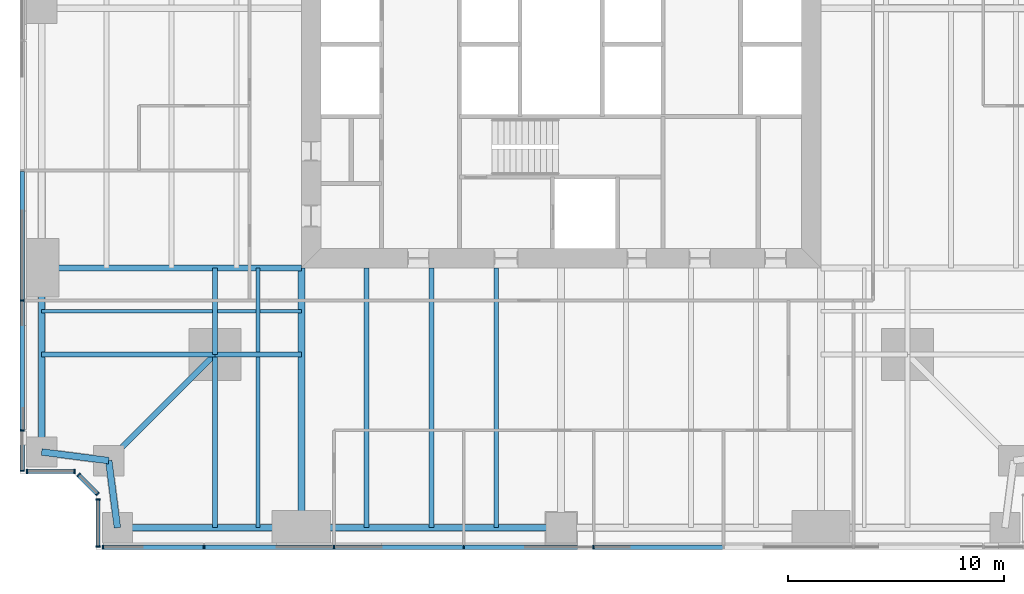
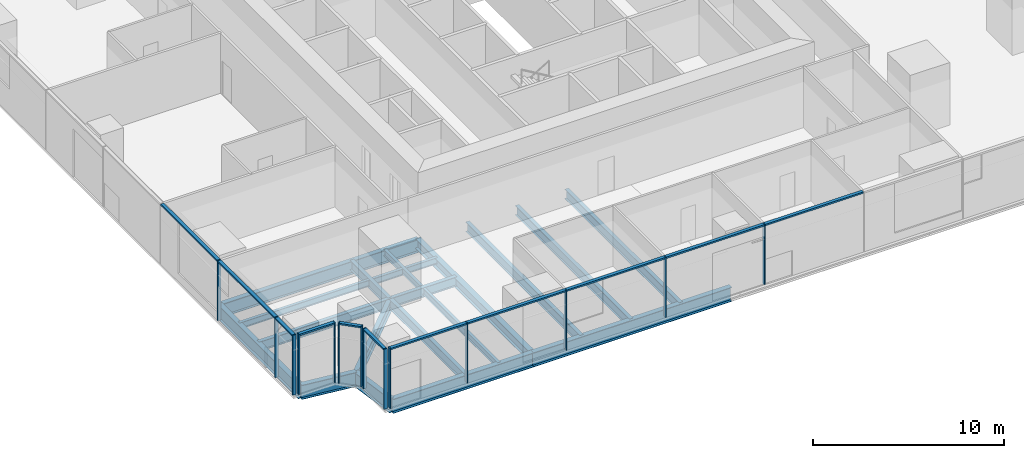
# One storey, part 2 of 14: 25 members, 20 beams, 5 elements without a shape of their own.
"""IFC4 building model written with IfcOpenShell, lengths in metres."""

import ifcopenshell
import ifcopenshell.guid

model = None  # the IFC model being written
_history = None  # IfcOwnerHistory: only IFC2X3 demands one
_inside = {}  # id of a spatial element -> (the spatial element, [elements in it])
_under = {}  # id of a project, library or spatial element -> (it, [spatial elements below it])
_declared = {}  # id of a project -> (the project, [libraries it declares])
_typed = {}  # id of a type object -> (the type object, [elements of that type])
_made_of = {}  # id of a material, layer set ... -> (it, [elements and type objects made of it])


def new_model(schema):
    """Start an empty IFC model of exactly this schema.

    Asked for "IFC4X3", IfcOpenShell would pick the latest addendum, in which some entities
    have other attributes; the version numbers below select the first issue.
    IFC2X3 requires an IfcOwnerHistory on every rooted entity: one is made here for all.
    """
    global model, _history
    if schema == "IFC4X3":
        model = ifcopenshell.file(schema_version=(4, 3, 0, 0))
    else:
        model = ifcopenshell.file(schema=schema)
    _inside.clear()
    _under.clear()
    _declared.clear()
    _typed.clear()
    _made_of.clear()
    _history = None
    if model.schema == "IFC2X3":
        org = make("IfcOrganization", Name="unknown")
        user = make(
            "IfcPersonAndOrganization",
            ThePerson=make("IfcPerson", FamilyName="unknown"),
            TheOrganization=org,
        )
        app = make(
            "IfcApplication",
            ApplicationDeveloper=org,
            Version="unknown",
            ApplicationFullName="unknown",
            ApplicationIdentifier="unknown",
        )
        _history = make(
            "IfcOwnerHistory",
            OwningUser=user,
            OwningApplication=app,
            ChangeAction="ADDED",
            CreationDate=0,
        )
    return model


def make(cls, **values):
    """One entity of the class cls with the attributes given. An attribute that is None is left unset."""
    return model.create_entity(
        cls, **{name: value for name, value in values.items() if value is not None}
    )


def rooted(cls, **values):
    """An entity with a GlobalId (a new one), such as an element, a storey or a relation."""
    return make(cls, GlobalId=ifcopenshell.guid.new(), OwnerHistory=_history, **values)


def si_unit(unit_type, name, prefix=None):
    """IfcSIUnit, for example si_unit("LENGTHUNIT", "METRE", prefix="MILLI")."""
    return make("IfcSIUnit", UnitType=unit_type, Prefix=prefix, Name=name)


def assignment(units):
    """IfcUnitAssignment: the units of a project."""
    return None if units is None else make("IfcUnitAssignment", Units=units)


def point(xyz):
    """IfcCartesianPoint."""
    return None if xyz is None else make("IfcCartesianPoint", Coordinates=xyz)


def direction(xyz):
    """IfcDirection."""
    return None if xyz is None else make("IfcDirection", DirectionRatios=xyz)


def frame(location, z_axis=None, x_axis=None):
    """IfcAxis2Placement3D, a coordinate frame: its origin and axes. An axis left out is left unset."""
    return make(
        "IfcAxis2Placement3D",
        Location=point(location),
        Axis=direction(z_axis),
        RefDirection=direction(x_axis),
    )


def frame_2d(location, x_axis=None):
    """IfcAxis2Placement2D, a coordinate frame in the plane: its origin and x axis."""
    return make(
        "IfcAxis2Placement2D", Location=point(location), RefDirection=direction(x_axis)
    )


def origin():
    """The frame at (0, 0, 0) with its axes left unset."""
    return frame((0.0, 0.0, 0.0))


def origin_2d():
    """The frame at (0, 0) in the plane with its x axis left unset."""
    return frame_2d((0.0, 0.0))


def place(relative_to, where):
    """IfcLocalPlacement: puts the frame where relative to a parent placement (None: the world)."""
    return make(
        "IfcLocalPlacement", PlacementRelTo=relative_to, RelativePlacement=where
    )


def context(
    kind, dimensions, precision=None, world=None, true_north=None, identifier=None
):
    """IfcGeometricRepresentationContext, for example the 3D "Model" context."""
    return make(
        "IfcGeometricRepresentationContext",
        ContextIdentifier=identifier,
        ContextType=kind,
        CoordinateSpaceDimension=dimensions,
        Precision=precision,
        WorldCoordinateSystem=world,
        TrueNorth=true_north,
    )


def subcontext(parent, identifier, kind, view, scale=None):
    """IfcGeometricRepresentationSubContext, for example "Body" below "Model"."""
    return make(
        "IfcGeometricRepresentationSubContext",
        ContextIdentifier=identifier,
        ContextType=kind,
        ParentContext=parent,
        TargetScale=scale,
        TargetView=view,
    )


def project(units=None, contexts=None):
    """IfcProject with its units and contexts."""
    return rooted(
        "IfcProject",
        Name="project",
        RepresentationContexts=contexts,
        UnitsInContext=assignment(units),
    )


def spatial(cls, under=None, at=None, **own):
    """A site, building, storey or space (cls), placed at a placement, below another one or the project."""
    s = rooted(cls, ObjectPlacement=at, **own)
    if under is not None:
        _under.setdefault(under.id(), (under, []))[1].append(s)
    return s


def profile(cls, at=None, kind="AREA", **sizes):
    """A parametric profile (cls). Its sizes go by their IFC names, for example OverallWidth=200.0."""
    return make(cls, ProfileType=kind, Position=at, **sizes)


def rectangle(**sizes):
    """IfcRectangleProfileDef."""
    return profile("IfcRectangleProfileDef", **sizes)


def i_section(**sizes):
    """IfcIShapeProfileDef."""
    return profile("IfcIShapeProfileDef", **sizes)


def extrude(swept, where, along, depth):
    """IfcExtrudedAreaSolid: the profile swept, set in the frame where, extruded along a direction by depth."""
    return make(
        "IfcExtrudedAreaSolid",
        SweptArea=swept,
        Position=where,
        ExtrudedDirection=direction(along),
        Depth=depth,
    )


def shape(context_of_items, identifier, shape_type, items):
    """IfcShapeRepresentation: the items that make up one representation, for example the "Body"."""
    return make(
        "IfcShapeRepresentation",
        ContextOfItems=context_of_items,
        RepresentationIdentifier=identifier,
        RepresentationType=shape_type,
        Items=items,
    )


def material(Name=None, Category=None):
    """IfcMaterial."""
    return make("IfcMaterial", Name=Name, Category=Category)


def material_profile(
    of_material, cross_section, Name=None, Category=None, Priority=None
):
    """IfcMaterialProfile: a cross section and its material."""
    return make(
        "IfcMaterialProfile",
        Name=Name,
        Material=of_material,
        Profile=cross_section,
        Priority=Priority,
        Category=Category,
    )


def profile_set(profiles, Name=None, composite=None):
    """IfcMaterialProfileSet."""
    return make(
        "IfcMaterialProfileSet",
        Name=Name,
        MaterialProfiles=profiles,
        CompositeProfile=composite,
    )


def made_of(thing, what):
    """Note that an element or type object is made of a material, layer set ...; save() writes the relation."""
    if what is not None:
        _made_of.setdefault(what.id(), (what, []))[1].append(thing)
    return thing


def type_object(cls, material=None, **own):
    """A type object (cls), such as IfcWallType, which elements share."""
    return made_of(rooted(cls, **own), material)


def element(
    cls,
    number,
    at=None,
    inside=None,
    cuts=None,
    type_object=None,
    material=None,
    context=None,
    identifier="Body",
    shape_type=None,
    held_by="IfcProductDefinitionShape",
    body=None,
    shapes=None,
    **own,
):
    """One element of the class cls, such as IfcWall. Its Tag is "e" and its number.

    at: its placement. inside: the storey or other place that contains it. cuts: it is an
    opening in that element (IfcRelVoidsElement). A single representation is given by context,
    identifier, shape_type and body (its items); several are given by shapes. held_by: the class
    of the entity that holds the representations. save() writes the other relations.
    """
    e = rooted(cls, Tag="e%d" % number, ObjectPlacement=at, **own)
    if body is not None:
        shapes = [shape(context, identifier, shape_type, body)]
    if shapes is not None:
        e.Representation = make(held_by, Representations=shapes)
    if inside is not None:
        _inside.setdefault(inside.id(), (inside, []))[1].append(e)
    if cuts is not None:
        rooted(
            "IfcRelVoidsElement", RelatingBuildingElement=cuts, RelatedOpeningElement=e
        )
    if type_object is not None:
        _typed.setdefault(type_object.id(), (type_object, []))[1].append(e)
    return made_of(e, material)


def aggregate(whole, parts):
    """IfcRelAggregates: a whole, such as a stair, and the parts it consists of."""
    return rooted("IfcRelAggregates", RelatingObject=whole, RelatedObjects=parts)


def save(model, path):
    """Write the relations noted so far, then the file.

    IfcRelAggregates (storeys below a building ...), IfcRelContainedInSpatialStructure (elements
    in a storey), IfcRelDefinesByType, IfcRelAssociatesMaterial and IfcRelDeclares: one each for
    every whole, place, type object, material and project.
    """
    for whole, parts in _under.values():
        aggregate(whole, parts)
    for where, things in _inside.values():
        rooted(
            "IfcRelContainedInSpatialStructure",
            RelatedElements=things,
            RelatingStructure=where,
        )
    for kind, things in _typed.values():
        rooted("IfcRelDefinesByType", RelatedObjects=things, RelatingType=kind)
    for what, things in _made_of.values():
        rooted("IfcRelAssociatesMaterial", RelatedObjects=things, RelatingMaterial=what)
    for by, libraries in _declared.values():
        rooted("IfcRelDeclares", RelatingContext=by, RelatedDefinitions=libraries)
    model.write(path)


model = new_model("IFC4")

# Units and contexts
model_context = context("Model", 3, precision=1e-05, world=origin(), true_north=direction((0.0, 1.0)))
body_context = subcontext(model_context, "Body", "Model", "MODEL_VIEW")
ifc_project = project(units=[si_unit("LENGTHUNIT", "METRE"), si_unit("AREAUNIT", "SQUARE_METRE"), si_unit("VOLUMEUNIT", "CUBIC_METRE"), si_unit("PLANEANGLEUNIT", "RADIAN"), si_unit("MASSUNIT", "GRAM", prefix="KILO")], contexts=[model_context])

# Site, building, storey
site_placement = place(None, origin())
site = spatial("IfcSite", under=ifc_project, at=site_placement, CompositionType="ELEMENT")
building_placement = place(site_placement, origin())
building = spatial("IfcBuilding", under=site, at=building_placement, Name="Fenwick Lantern Interchange", CompositionType="ELEMENT")
storey_placement = place(building_placement, frame((0.0, 0.0, 83.0)))
storey = spatial("IfcBuildingStorey", under=building, at=storey_placement, Name="L19", CompositionType="ELEMENT", Elevation=83.0)

# Beams
ifc_material_1 = material(Name="Steel ASTM A992 Grade 50", Category="steel")
ifc_material_profile_1 = material_profile(ifc_material_1, i_section(OverallWidth=0.3046875, OverallDepth=0.911865234375, WebThickness=0.015869140625, FlangeThickness=0.02392578125, at=origin_2d()), Name="W36X150")
ifc_profile_set_1 = profile_set([ifc_material_profile_1], Name="Steel ASTM A992 Grade 50")
beam_type_1 = type_object("IfcBeamType", Name="EDGE BEAM W36X150", PredefinedType="SPANDREL", material=ifc_profile_set_1)
beam_1_placement = place(storey_placement, frame((4.5, 1.0, -0.60595703125), z_axis=(1.0, 0.0, 0.0), x_axis=(0.0, 1.0, 0.0)))
element("IfcBeam", 1, at=beam_1_placement, inside=storey, type_object=beam_type_1, Name="L19/FR/S/EB1", PredefinedType="SPANDREL", context=body_context, shape_type="SweptSolid", body=[
    extrude(i_section(OverallWidth=0.3046875, OverallDepth=0.911865234375, WebThickness=0.015869140625, FlangeThickness=0.02392578125, at=origin_2d()), origin(), (0.0, 0.0, 1.0), 8.5),
])
beam_2_placement = place(storey_placement, frame((13.0, 1.0, -0.60595703125), z_axis=(1.0, 0.0, 0.0), x_axis=(0.0, 1.0, 0.0)))
element("IfcBeam", 2, at=beam_2_placement, inside=storey, type_object=beam_type_1, Name="L19/FR/S/EB2", PredefinedType="SPANDREL", context=body_context, shape_type="SweptSolid", body=[
    extrude(i_section(OverallWidth=0.3046875, OverallDepth=0.911865234375, WebThickness=0.015869140625, FlangeThickness=0.02392578125, at=origin_2d()), origin(), (0.0, 0.0, 1.0), 12.0),
])
beam_3_placement = place(storey_placement, frame((1.0, 13.0, -0.60595703125), z_axis=(0.0, -1.0, 0.0), x_axis=(1.0, 0.0, 0.0)))
element("IfcBeam", 3, at=beam_3_placement, inside=storey, type_object=beam_type_1, Name="L19/FR/W/EB4", PredefinedType="SPANDREL", context=body_context, shape_type="SweptSolid", body=[
    extrude(i_section(OverallWidth=0.3046875, OverallDepth=0.911865234375, WebThickness=0.015869140625, FlangeThickness=0.02392578125, at=origin_2d()), origin(), (0.0, 0.0, 1.0), 8.5),
])
for number, where, z_axis, x_axis, name in (
    (4, (1.0, 4.5, -0.60595703125), (0.991782342897, -0.127936641807, 0.0), (0.127936641807, 0.991782342897, 0.0), "L19/FR/W/EBR1"),
    (5, (4.10009765625, 4.10009765625, -0.60595703125), (0.127936641807, -0.991782342897, 0.0), (0.991782342897, 0.127936641807, 0.0), "L19/FR/W/EBR2"),
):
    element("IfcBeam", number, at=place(storey_placement, frame(where, z_axis=z_axis, x_axis=x_axis)), inside=storey, type_object=beam_type_1, Name=name, PredefinedType="SPANDREL", context=body_context, shape_type="SweptSolid", body=[
        extrude(i_section(OverallWidth=0.3046875, OverallDepth=0.911865234375, WebThickness=0.015869140625, FlangeThickness=0.02392578125, at=origin_2d()), origin(), (0.0, 0.0, 1.0), 3.125732421875),
    ])
ifc_material_profile_2 = material_profile(ifc_material_1, i_section(OverallWidth=0.22900390625, OverallDepth=0.612060546875, WebThickness=0.011962890625, FlangeThickness=0.01953125, at=origin_2d()), Name="W24X84")
ifc_profile_set_2 = profile_set([ifc_material_profile_2], Name="Steel ASTM A992 Grade 50")
beam_type_2 = type_object("IfcBeamType", Name="FLOOR BEAM W24X84", PredefinedType="BEAM", material=ifc_profile_set_2)
for number, where, z_axis, x_axis, name in (
    (6, (16.0, 1.0, -0.4560546875), (0.0, 1.0, 0.0), (-1.0, 0.0, 0.0), "L19/FR/S/R02"),
    (7, (19.0, 1.0, -0.4560546875), (0.0, 1.0, 0.0), (-1.0, 0.0, 0.0), "L19/FR/S/R03"),
    (8, (22.0, 1.0, -0.4560546875), (0.0, 1.0, 0.0), (-1.0, 0.0, 0.0), "L19/FR/S/R04"),
):
    element("IfcBeam", number, at=place(storey_placement, frame(where, z_axis=z_axis, x_axis=x_axis)), inside=storey, type_object=beam_type_2, Name=name, PredefinedType="BEAM", context=body_context, shape_type="SweptSolid", body=[
        extrude(i_section(OverallWidth=0.22900390625, OverallDepth=0.612060546875, WebThickness=0.011962890625, FlangeThickness=0.01953125, at=origin_2d()), origin(), (0.0, 0.0, 1.0), 12.0),
    ])
ifc_material_profile_3 = material_profile(ifc_material_1, i_section(OverallWidth=0.177734375, OverallDepth=0.406494140625, WebThickness=0.0078125, FlangeThickness=0.012939453125, at=origin_2d()), Name="W16X40")
ifc_profile_set_3 = profile_set([ifc_material_profile_3], Name="Steel ASTM A992 Grade 50")
beam_type_3 = type_object("IfcBeamType", Name="INFILL BEAM W16X40", PredefinedType="JOIST", material=ifc_profile_set_3)
beam_4_placement = place(storey_placement, frame((11.0, 1.0, -0.353271484375), z_axis=(0.0, 1.0, 0.0), x_axis=(-1.0, 0.0, 0.0)))
element("IfcBeam", 9, at=beam_4_placement, inside=storey, type_object=beam_type_3, Name="L19/FR/S/J1", PredefinedType="JOIST", context=body_context, shape_type="SweptSolid", body=[
    extrude(i_section(OverallWidth=0.177734375, OverallDepth=0.406494140625, WebThickness=0.0078125, FlangeThickness=0.012939453125, at=origin_2d()), origin(), (0.0, 0.0, 1.0), 7.885498046875),
])
beam_5_placement = place(storey_placement, frame((11.0, 9.114501953125, -0.353271484375), z_axis=(0.0, 1.0, 0.0), x_axis=(-1.0, 0.0, 0.0)))
element("IfcBeam", 10, at=beam_5_placement, inside=storey, type_object=beam_type_3, Name="L19/FR/S/J2", PredefinedType="JOIST", context=body_context, shape_type="SweptSolid", body=[
    extrude(i_section(OverallWidth=0.177734375, OverallDepth=0.406494140625, WebThickness=0.0078125, FlangeThickness=0.012939453125, at=origin_2d()), origin(), (0.0, 0.0, 1.0), 3.885498046875),
])
beam_6_placement = place(storey_placement, frame((1.0, 11.0, -0.353271484375), z_axis=(1.0, 0.0, 0.0), x_axis=(0.0, 1.0, 0.0)))
element("IfcBeam", 11, at=beam_6_placement, inside=storey, type_object=beam_type_3, Name="L19/FR/S/J3", PredefinedType="JOIST", context=body_context, shape_type="SweptSolid", body=[
    extrude(i_section(OverallWidth=0.177734375, OverallDepth=0.406494140625, WebThickness=0.0078125, FlangeThickness=0.012939453125, at=origin_2d()), origin(), (0.0, 0.0, 1.0), 7.885498046875),
])
beam_7_placement = place(storey_placement, frame((9.114501953125, 11.0, -0.353271484375), z_axis=(1.0, 0.0, 0.0), x_axis=(0.0, 1.0, 0.0)))
element("IfcBeam", 12, at=beam_7_placement, inside=storey, type_object=beam_type_3, Name="L19/FR/S/J4", PredefinedType="JOIST", context=body_context, shape_type="SweptSolid", body=[
    extrude(i_section(OverallWidth=0.177734375, OverallDepth=0.406494140625, WebThickness=0.0078125, FlangeThickness=0.012939453125, at=origin_2d()), origin(), (0.0, 0.0, 1.0), 1.796630859375),
])
beam_8_placement = place(storey_placement, frame((11.0888671875, 11.0, -0.353271484375), z_axis=(1.0, 0.0, 0.0), x_axis=(0.0, 1.0, 0.0)))
element("IfcBeam", 13, at=beam_8_placement, inside=storey, type_object=beam_type_3, Name="L19/FR/S/J5", PredefinedType="JOIST", context=body_context, shape_type="SweptSolid", body=[
    extrude(i_section(OverallWidth=0.177734375, OverallDepth=0.406494140625, WebThickness=0.0078125, FlangeThickness=0.012939453125, at=origin_2d()), origin(), (0.0, 0.0, 1.0), 1.9111328125),
])
ifc_material_profile_4 = material_profile(ifc_material_1, i_section(OverallWidth=0.22900390625, OverallDepth=0.612060546875, WebThickness=0.011962890625, FlangeThickness=0.01953125, at=origin_2d()), Name="W24X84")
ifc_profile_set_4 = profile_set([ifc_material_profile_4], Name="Steel ASTM A992 Grade 50")
beam_type_4 = type_object("IfcBeamType", Name="MEGA COLUMN BEAM W24X84", PredefinedType="BEAM", material=ifc_profile_set_4)
for number, where, z_axis, x_axis, name in (
    (14, (9.0, 9.0, -0.4560546875), (0.0, -1.0, 0.0), (1.0, 0.0, 0.0), "L19/FR/S/MB1"),
    (15, (9.0, 9.0, -0.4560546875), (-1.0, 0.0, 0.0), (0.0, -1.0, 0.0), "L19/FR/S/MB2"),
):
    element("IfcBeam", number, at=place(storey_placement, frame(where, z_axis=z_axis, x_axis=x_axis)), inside=storey, type_object=beam_type_4, Name=name, PredefinedType="BEAM", context=body_context, shape_type="SweptSolid", body=[
        extrude(i_section(OverallWidth=0.22900390625, OverallDepth=0.612060546875, WebThickness=0.011962890625, FlangeThickness=0.01953125, at=origin_2d()), origin(), (0.0, 0.0, 1.0), 8.0),
    ])
for number, where, z_axis, x_axis, name in (
    (16, (9.0, 9.0, -0.4560546875), (1.0, 0.0, 0.0), (0.0, 1.0, 0.0), "L19/FR/S/MB3"),
    (17, (9.0, 9.0, -0.4560546875), (0.0, 1.0, 0.0), (-1.0, 0.0, 0.0), "L19/FR/S/MB4"),
):
    element("IfcBeam", number, at=place(storey_placement, frame(where, z_axis=z_axis, x_axis=x_axis)), inside=storey, type_object=beam_type_4, Name=name, PredefinedType="BEAM", context=body_context, shape_type="SweptSolid", body=[
        extrude(i_section(OverallWidth=0.22900390625, OverallDepth=0.612060546875, WebThickness=0.011962890625, FlangeThickness=0.01953125, at=origin_2d()), origin(), (0.0, 0.0, 1.0), 4.0),
    ])
ifc_material_profile_5 = material_profile(ifc_material_1, i_section(OverallWidth=0.32763671875, OverallDepth=0.622314453125, WebThickness=0.015380859375, FlangeThickness=0.0244140625, at=origin_2d()), Name="W24X131")
ifc_profile_set_5 = profile_set([ifc_material_profile_5], Name="Steel ASTM A992 Grade 50")
beam_type_5 = type_object("IfcBeamType", Name="MOMENT-CONNECTED GIRDER W24X131", PredefinedType="BEAM", material=ifc_profile_set_5)
beam_9_placement = place(storey_placement, frame((13.0, 1.0, -0.461181640625), z_axis=(0.0, 1.0, 0.0), x_axis=(-1.0, 0.0, 0.0)))
element("IfcBeam", 18, at=beam_9_placement, inside=storey, type_object=beam_type_5, Name="L19/FR/S/R01", PredefinedType="BEAM", context=body_context, shape_type="SweptSolid", body=[
    extrude(i_section(OverallWidth=0.32763671875, OverallDepth=0.622314453125, WebThickness=0.015380859375, FlangeThickness=0.0244140625, at=origin_2d()), origin(), (0.0, 0.0, 1.0), 12.0),
])
ifc_material_profile_6 = material_profile(ifc_material_1, i_section(OverallWidth=0.2919921875, OverallDepth=0.845703125, WebThickness=0.015380859375, FlangeThickness=0.0244140625, at=origin_2d()), Name="W33X141")
ifc_profile_set_6 = profile_set([ifc_material_profile_6], Name="Steel ASTM A992 Grade 50")
beam_type_6 = type_object("IfcBeamType", Name="MOMENT-CONNECTED GIRDER W33X141", PredefinedType="BEAM", material=ifc_profile_set_6)
beam_10_placement = place(storey_placement, frame((1.0, 13.0, -0.572998046875), z_axis=(1.0, 0.0, 0.0), x_axis=(0.0, 1.0, 0.0)))
element("IfcBeam", 19, at=beam_10_placement, inside=storey, type_object=beam_type_6, Name="L19/FR/W/R03", PredefinedType="BEAM", context=body_context, shape_type="SweptSolid", body=[
    extrude(i_section(OverallWidth=0.2919921875, OverallDepth=0.845703125, WebThickness=0.015380859375, FlangeThickness=0.0244140625, at=origin_2d()), origin(), (0.0, 0.0, 1.0), 12.0),
])
ifc_material_profile_7 = material_profile(ifc_material_1, i_section(OverallWidth=0.2666015625, OverallDepth=0.7568359375, WebThickness=0.013916015625, FlangeThickness=0.019287109375, at=origin_2d()), Name="W30X108")
ifc_profile_set_7 = profile_set([ifc_material_profile_7], Name="Steel ASTM A992 Grade 50")
beam_type_7 = type_object("IfcBeamType", Name="NOTCH BEAM W30X108", PredefinedType="BEAM", material=ifc_profile_set_7)
beam_11_placement = place(storey_placement, frame((9.0, 9.0, -0.528564453125), z_axis=(-0.707106781187, -0.707106781187, 0.0), x_axis=(0.707106781187, -0.707106781187, 0.0)))
element("IfcBeam", 20, at=beam_11_placement, inside=storey, type_object=beam_type_7, Name="L19/FR/S/TG", PredefinedType="BEAM", context=body_context, shape_type="SweptSolid", body=[
    extrude(i_section(OverallWidth=0.2666015625, OverallDepth=0.7568359375, WebThickness=0.013916015625, FlangeThickness=0.019287109375, at=origin_2d()), origin(), (0.0, 0.0, 1.0), 6.929443359375),
])

# Curtain wall, members
ifc_material_2 = material(Name="Aluminium curtain wall frame", Category="aluminium")
curtain_wall_type = type_object("IfcCurtainWallType", Name="OFFICE CURTAIN WALL", PredefinedType="USERDEFINED", material=ifc_material_2)
curtain_wall_1_placement = place(storey_placement, origin())
curtain_wall_1 = element("IfcCurtainWall", 21, at=curtain_wall_1_placement, inside=storey, type_object=curtain_wall_type, Name="Office curtain wall 01", ObjectType="OFFICE CURTAIN WALL", PredefinedType="USERDEFINED")
ifc_material_3 = material(Name="Aluminium extrusion", Category="aluminium")
ifc_material_profile_8 = material_profile(ifc_material_3, rectangle(XDim=0.199951171875, YDim=0.06494140625, at=origin_2d()), Name="OFFICE CURTAIN WALL MULLION 65 X 200")
ifc_profile_set_8 = profile_set([ifc_material_profile_8], Name="Aluminium extrusion")
member_type_1 = type_object("IfcMemberType", Name="OFFICE CURTAIN WALL MULLION 65 X 200", PredefinedType="MULLION", material=ifc_profile_set_8)
member_1_placement = place(storey_placement, frame((3.83251953125, 0.10009765625, 0.0), z_axis=(0.0, 0.0, 1.0), x_axis=(0.0, 1.0, 0.0)))
member_1 = element("IfcMember", 22, at=member_1_placement, type_object=member_type_1, Name="L19/CW/01/M00", PredefinedType="MULLION", context=body_context, shape_type="SweptSolid", body=[
    extrude(rectangle(XDim=0.199951171875, YDim=0.06494140625, at=origin_2d()), origin(), (0.0, 0.0, 1.0), 3.85009765625),
])
member_2_placement = place(storey_placement, frame((8.5, 0.10009765625, 0.0), z_axis=(0.0, 0.0, 1.0), x_axis=(0.0, 1.0, 0.0)))
member_2 = element("IfcMember", 23, at=member_2_placement, type_object=member_type_1, Name="L19/CW/01/M01", PredefinedType="MULLION", context=body_context, shape_type="SweptSolid", body=[
    extrude(rectangle(XDim=0.199951171875, YDim=0.06494140625, at=origin_2d()), origin(), (0.0, 0.0, 1.0), 3.85009765625),
])
member_3_placement = place(storey_placement, frame((14.5, 0.10009765625, 0.0), z_axis=(0.0, 0.0, 1.0), x_axis=(0.0, 1.0, 0.0)))
member_3 = element("IfcMember", 24, at=member_3_placement, type_object=member_type_1, Name="L19/CW/01/M02", PredefinedType="MULLION", context=body_context, shape_type="SweptSolid", body=[
    extrude(rectangle(XDim=0.199951171875, YDim=0.06494140625, at=origin_2d()), origin(), (0.0, 0.0, 1.0), 3.85009765625),
])
member_4_placement = place(storey_placement, frame((20.5, 0.10009765625, 0.0), z_axis=(0.0, 0.0, 1.0), x_axis=(0.0, 1.0, 0.0)))
member_4 = element("IfcMember", 25, at=member_4_placement, type_object=member_type_1, Name="L19/CW/01/M03", PredefinedType="MULLION", context=body_context, shape_type="SweptSolid", body=[
    extrude(rectangle(XDim=0.199951171875, YDim=0.06494140625, at=origin_2d()), origin(), (0.0, 0.0, 1.0), 3.85009765625),
])
member_5_placement = place(storey_placement, frame((26.5, 0.10009765625, 0.0), z_axis=(0.0, 0.0, 1.0), x_axis=(0.0, 1.0, 0.0)))
member_5 = element("IfcMember", 26, at=member_5_placement, type_object=member_type_1, Name="L19/CW/01/M04", PredefinedType="MULLION", context=body_context, shape_type="SweptSolid", body=[
    extrude(rectangle(XDim=0.199951171875, YDim=0.06494140625, at=origin_2d()), origin(), (0.0, 0.0, 1.0), 3.85009765625),
])

curtain_wall_2_placement = place(storey_placement, origin())
curtain_wall_2 = element("IfcCurtainWall", 27, at=curtain_wall_2_placement, inside=storey, type_object=curtain_wall_type, Name="Office curtain wall 13", ObjectType="OFFICE CURTAIN WALL", PredefinedType="USERDEFINED")
member_6_placement = place(storey_placement, frame((0.10009765625, 11.5, 0.0), z_axis=(0.0, 0.0, 1.0), x_axis=(1.0, 0.0, 0.0)))
member_6 = element("IfcMember", 28, at=member_6_placement, type_object=member_type_1, Name="L19/CW/13/M06", PredefinedType="MULLION", context=body_context, shape_type="SweptSolid", body=[
    extrude(rectangle(XDim=0.199951171875, YDim=0.06494140625, at=origin_2d()), origin(), (0.0, 0.0, 1.0), 3.85009765625),
])
member_7_placement = place(storey_placement, frame((0.10009765625, 5.5, 0.0), z_axis=(0.0, 0.0, 1.0), x_axis=(1.0, 0.0, 0.0)))
member_7 = element("IfcMember", 29, at=member_7_placement, type_object=member_type_1, Name="L19/CW/13/M07", PredefinedType="MULLION", context=body_context, shape_type="SweptSolid", body=[
    extrude(rectangle(XDim=0.199951171875, YDim=0.06494140625, at=origin_2d()), origin(), (0.0, 0.0, 1.0), 3.85009765625),
])
member_8_placement = place(storey_placement, frame((0.10009765625, 3.632568359375, 0.0), z_axis=(0.0, 0.0, 1.0), x_axis=(1.0, 0.0, 0.0)))
member_8 = element("IfcMember", 30, at=member_8_placement, type_object=member_type_1, Name="L19/CW/13/M08", PredefinedType="MULLION", context=body_context, shape_type="SweptSolid", body=[
    extrude(rectangle(XDim=0.199951171875, YDim=0.06494140625, at=origin_2d()), origin(), (0.0, 0.0, 1.0), 3.85009765625),
])

curtain_wall_3_placement = place(storey_placement, origin())
curtain_wall_3 = element("IfcCurtainWall", 31, at=curtain_wall_3_placement, inside=storey, type_object=curtain_wall_type, Name="Office curtain wall 14", ObjectType="OFFICE CURTAIN WALL", PredefinedType="USERDEFINED")
member_9_placement = place(storey_placement, frame((0.33251953125, 3.60009765625, 0.0), z_axis=(0.0, 0.0, 1.0), x_axis=(0.0, 1.0, 0.0)))
member_9 = element("IfcMember", 32, at=member_9_placement, type_object=member_type_1, Name="L19/CW/14/M00", PredefinedType="MULLION", context=body_context, shape_type="SweptSolid", body=[
    extrude(rectangle(XDim=0.199951171875, YDim=0.06494140625, at=origin_2d()), origin(), (0.0, 0.0, 1.0), 3.85009765625),
])
member_10_placement = place(storey_placement, frame((2.509033203125, 3.60009765625, 0.0), z_axis=(0.0, 0.0, 1.0), x_axis=(0.0, 1.0, 0.0)))
member_10 = element("IfcMember", 33, at=member_10_placement, type_object=member_type_1, Name="L19/CW/14/M01", PredefinedType="MULLION", context=body_context, shape_type="SweptSolid", body=[
    extrude(rectangle(XDim=0.199951171875, YDim=0.06494140625, at=origin_2d()), origin(), (0.0, 0.0, 1.0), 3.85009765625),
])

curtain_wall_4_placement = place(storey_placement, origin())
curtain_wall_4 = element("IfcCurtainWall", 34, at=curtain_wall_4_placement, inside=storey, type_object=curtain_wall_type, Name="Office curtain wall 15", ObjectType="OFFICE CURTAIN WALL", PredefinedType="USERDEFINED")
member_11_placement = place(storey_placement, frame((2.705810546875, 3.435546875, 0.0), z_axis=(0.0, 0.0, 1.0), x_axis=(0.707106781187, 0.707106781187, 0.0)))
member_11 = element("IfcMember", 35, at=member_11_placement, type_object=member_type_1, Name="L19/CW/15/M00", PredefinedType="MULLION", context=body_context, shape_type="SweptSolid", body=[
    extrude(rectangle(XDim=0.199951171875, YDim=0.06494140625, at=origin_2d()), origin(), (0.0, 0.0, 1.0), 3.85009765625),
])
member_12_placement = place(storey_placement, frame((3.576904296875, 2.564453125, 0.0), z_axis=(0.0, 0.0, 1.0), x_axis=(0.707106781187, 0.707106781187, 0.0)))
member_12 = element("IfcMember", 36, at=member_12_placement, type_object=member_type_1, Name="L19/CW/15/M01", PredefinedType="MULLION", context=body_context, shape_type="SweptSolid", body=[
    extrude(rectangle(XDim=0.199951171875, YDim=0.06494140625, at=origin_2d()), origin(), (0.0, 0.0, 1.0), 3.85009765625),
])

curtain_wall_5_placement = place(storey_placement, origin())
curtain_wall_5 = element("IfcCurtainWall", 37, at=curtain_wall_5_placement, inside=storey, type_object=curtain_wall_type, Name="Office curtain wall 16", ObjectType="OFFICE CURTAIN WALL", PredefinedType="USERDEFINED")
member_13_placement = place(storey_placement, frame((3.60009765625, 2.308837890625, 0.0), z_axis=(0.0, 0.0, 1.0), x_axis=(1.0, 0.0, 0.0)))
member_13 = element("IfcMember", 38, at=member_13_placement, type_object=member_type_1, Name="L19/CW/16/M00", PredefinedType="MULLION", context=body_context, shape_type="SweptSolid", body=[
    extrude(rectangle(XDim=0.199951171875, YDim=0.06494140625, at=origin_2d()), origin(), (0.0, 0.0, 1.0), 3.85009765625),
])
member_14_placement = place(storey_placement, frame((3.60009765625, 0.132568359375, 0.0), z_axis=(0.0, 0.0, 1.0), x_axis=(1.0, 0.0, 0.0)))
member_14 = element("IfcMember", 39, at=member_14_placement, type_object=member_type_1, Name="L19/CW/16/M01", PredefinedType="MULLION", context=body_context, shape_type="SweptSolid", body=[
    extrude(rectangle(XDim=0.199951171875, YDim=0.06494140625, at=origin_2d()), origin(), (0.0, 0.0, 1.0), 3.85009765625),
])

# Member
ifc_material_profile_9 = material_profile(ifc_material_3, rectangle(XDim=0.199951171875, YDim=0.10009765625, at=origin_2d()), Name="OFFICE CURTAIN WALL TRANSOM 100 X 200")
ifc_profile_set_9 = profile_set([ifc_material_profile_9], Name="Aluminium extrusion")
member_type_2 = type_object("IfcMemberType", Name="OFFICE CURTAIN WALL TRANSOM 100 X 200", PredefinedType="MULLION", material=ifc_profile_set_9)
member_15_placement = place(storey_placement, frame((3.864990234375, 0.10009765625, 3.800048828125), z_axis=(1.0, 0.0, 0.0), x_axis=(0.0, 1.0, 0.0)))
member_15 = element("IfcMember", 40, at=member_15_placement, type_object=member_type_2, Name="L19/CW/01/T00", PredefinedType="MULLION", context=body_context, shape_type="SweptSolid", body=[
    extrude(rectangle(XDim=0.199951171875, YDim=0.10009765625, at=origin_2d()), origin(), (0.0, 0.0, 1.0), 4.6025390625),
])

member_16_placement = place(storey_placement, frame((8.532470703125, 0.10009765625, 3.800048828125), z_axis=(1.0, 0.0, 0.0), x_axis=(0.0, 1.0, 0.0)))
member_16 = element("IfcMember", 41, at=member_16_placement, type_object=member_type_2, Name="L19/CW/01/T01", PredefinedType="MULLION", context=body_context, shape_type="SweptSolid", body=[
    extrude(rectangle(XDim=0.199951171875, YDim=0.10009765625, at=origin_2d()), origin(), (0.0, 0.0, 1.0), 5.93505859375),
])

member_17_placement = place(storey_placement, frame((14.532470703125, 0.10009765625, 3.800048828125), z_axis=(1.0, 0.0, 0.0), x_axis=(0.0, 1.0, 0.0)))
member_17 = element("IfcMember", 42, at=member_17_placement, type_object=member_type_2, Name="L19/CW/01/T02", PredefinedType="MULLION", context=body_context, shape_type="SweptSolid", body=[
    extrude(rectangle(XDim=0.199951171875, YDim=0.10009765625, at=origin_2d()), origin(), (0.0, 0.0, 1.0), 5.93505859375),
])

member_18_placement = place(storey_placement, frame((20.532470703125, 0.10009765625, 3.800048828125), z_axis=(1.0, 0.0, 0.0), x_axis=(0.0, 1.0, 0.0)))
member_18 = element("IfcMember", 43, at=member_18_placement, type_object=member_type_2, Name="L19/CW/01/T03", PredefinedType="MULLION", context=body_context, shape_type="SweptSolid", body=[
    extrude(rectangle(XDim=0.199951171875, YDim=0.10009765625, at=origin_2d()), origin(), (0.0, 0.0, 1.0), 5.93505859375),
])

member_19_placement = place(storey_placement, frame((26.532470703125, 0.10009765625, 3.800048828125), z_axis=(1.0, 0.0, 0.0), x_axis=(0.0, 1.0, 0.0)))
member_19 = element("IfcMember", 44, at=member_19_placement, type_object=member_type_2, Name="L19/CW/01/T04", PredefinedType="MULLION", context=body_context, shape_type="SweptSolid", body=[
    extrude(rectangle(XDim=0.199951171875, YDim=0.10009765625, at=origin_2d()), origin(), (0.0, 0.0, 1.0), 5.93505859375),
])

aggregate(curtain_wall_1, [member_1, member_2, member_3, member_4, member_5, member_15, member_16, member_17, member_18, member_19])

member_20_placement = place(storey_placement, frame((0.10009765625, 17.467529296875, 3.800048828125), z_axis=(0.0, -1.0, 0.0), x_axis=(1.0, 0.0, 0.0)))
member_20 = element("IfcMember", 45, at=member_20_placement, type_object=member_type_2, Name="L19/CW/13/T05", PredefinedType="MULLION", context=body_context, shape_type="SweptSolid", body=[
    extrude(rectangle(XDim=0.199951171875, YDim=0.10009765625, at=origin_2d()), origin(), (0.0, 0.0, 1.0), 5.93505859375),
])

member_21_placement = place(storey_placement, frame((0.10009765625, 11.467529296875, 3.800048828125), z_axis=(0.0, -1.0, 0.0), x_axis=(1.0, 0.0, 0.0)))
member_21 = element("IfcMember", 46, at=member_21_placement, type_object=member_type_2, Name="L19/CW/13/T06", PredefinedType="MULLION", context=body_context, shape_type="SweptSolid", body=[
    extrude(rectangle(XDim=0.199951171875, YDim=0.10009765625, at=origin_2d()), origin(), (0.0, 0.0, 1.0), 5.93505859375),
])

member_22_placement = place(storey_placement, frame((0.10009765625, 5.467529296875, 3.800048828125), z_axis=(0.0, -1.0, 0.0), x_axis=(1.0, 0.0, 0.0)))
member_22 = element("IfcMember", 47, at=member_22_placement, type_object=member_type_2, Name="L19/CW/13/T07", PredefinedType="MULLION", context=body_context, shape_type="SweptSolid", body=[
    extrude(rectangle(XDim=0.199951171875, YDim=0.10009765625, at=origin_2d()), origin(), (0.0, 0.0, 1.0), 1.802490234375),
])

aggregate(curtain_wall_2, [member_6, member_7, member_8, member_20, member_21, member_22])

member_23_placement = place(storey_placement, frame((0.364990234375, 3.60009765625, 3.800048828125), z_axis=(1.0, 0.0, 0.0), x_axis=(0.0, 1.0, 0.0)))
member_23 = element("IfcMember", 48, at=member_23_placement, type_object=member_type_2, Name="L19/CW/14/T00", PredefinedType="MULLION", context=body_context, shape_type="SweptSolid", body=[
    extrude(rectangle(XDim=0.199951171875, YDim=0.10009765625, at=origin_2d()), origin(), (0.0, 0.0, 1.0), 2.111328125),
])

aggregate(curtain_wall_3, [member_9, member_10, member_23])

member_24_placement = place(storey_placement, frame((2.728759765625, 3.41259765625, 3.800048828125), z_axis=(0.707106781187, -0.707106781187, 0.0), x_axis=(0.707106781187, 0.707106781187, 0.0)))
member_24 = element("IfcMember", 49, at=member_24_placement, type_object=member_type_2, Name="L19/CW/15/T00", PredefinedType="MULLION", context=body_context, shape_type="SweptSolid", body=[
    extrude(rectangle(XDim=0.199951171875, YDim=0.10009765625, at=origin_2d()), origin(), (0.0, 0.0, 1.0), 1.1669921875),
])

aggregate(curtain_wall_4, [member_11, member_12, member_24])

member_25_placement = place(storey_placement, frame((3.60009765625, 2.2763671875, 3.800048828125), z_axis=(0.0, -1.0, 0.0), x_axis=(1.0, 0.0, 0.0)))
member_25 = element("IfcMember", 50, at=member_25_placement, type_object=member_type_2, Name="L19/CW/16/T00", PredefinedType="MULLION", context=body_context, shape_type="SweptSolid", body=[
    extrude(rectangle(XDim=0.199951171875, YDim=0.10009765625, at=origin_2d()), origin(), (0.0, 0.0, 1.0), 2.111328125),
])

aggregate(curtain_wall_5, [member_13, member_14, member_25])

save(model, "model.ifc")
